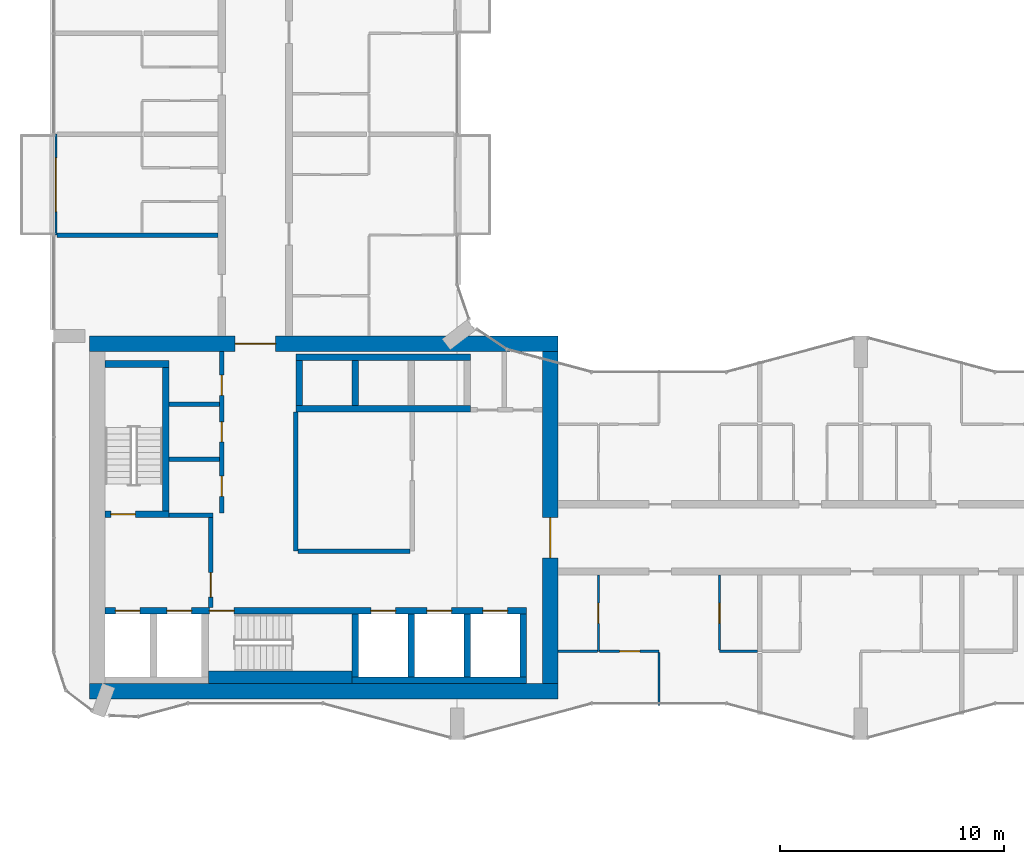
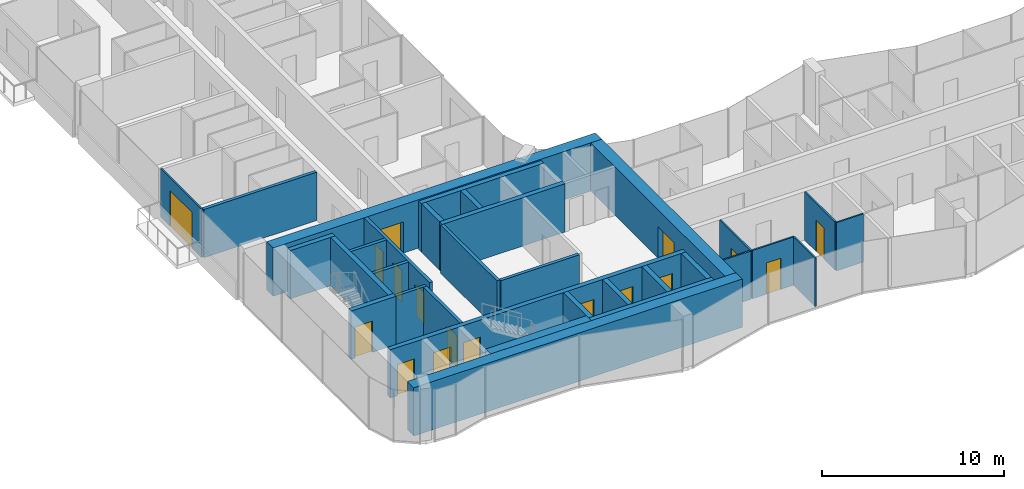
# One storey, part 13 of 23: 32 walls, 17 doors, 17 openings.
"""IFC4 building model written with IfcOpenShell, lengths in metres."""

import ifcopenshell
import ifcopenshell.guid

model = None  # the IFC model being written
_history = None  # IfcOwnerHistory: only IFC2X3 demands one
_inside = {}  # id of a spatial element -> (the spatial element, [elements in it])
_under = {}  # id of a project, library or spatial element -> (it, [spatial elements below it])
_declared = {}  # id of a project -> (the project, [libraries it declares])
_typed = {}  # id of a type object -> (the type object, [elements of that type])
_made_of = {}  # id of a material, layer set ... -> (it, [elements and type objects made of it])


def new_model(schema):
    """Start an empty IFC model of exactly this schema.

    Asked for "IFC4X3", IfcOpenShell would pick the latest addendum, in which some entities
    have other attributes; the version numbers below select the first issue.
    IFC2X3 requires an IfcOwnerHistory on every rooted entity: one is made here for all.
    """
    global model, _history
    if schema == "IFC4X3":
        model = ifcopenshell.file(schema_version=(4, 3, 0, 0))
    else:
        model = ifcopenshell.file(schema=schema)
    _inside.clear()
    _under.clear()
    _declared.clear()
    _typed.clear()
    _made_of.clear()
    _history = None
    if model.schema == "IFC2X3":
        org = make("IfcOrganization", Name="unknown")
        user = make(
            "IfcPersonAndOrganization",
            ThePerson=make("IfcPerson", FamilyName="unknown"),
            TheOrganization=org,
        )
        app = make(
            "IfcApplication",
            ApplicationDeveloper=org,
            Version="unknown",
            ApplicationFullName="unknown",
            ApplicationIdentifier="unknown",
        )
        _history = make(
            "IfcOwnerHistory",
            OwningUser=user,
            OwningApplication=app,
            ChangeAction="ADDED",
            CreationDate=0,
        )
    return model


def make(cls, **values):
    """One entity of the class cls with the attributes given. An attribute that is None is left unset."""
    return model.create_entity(
        cls, **{name: value for name, value in values.items() if value is not None}
    )


def rooted(cls, **values):
    """An entity with a GlobalId (a new one), such as an element, a storey or a relation."""
    return make(cls, GlobalId=ifcopenshell.guid.new(), OwnerHistory=_history, **values)


def si_unit(unit_type, name, prefix=None):
    """IfcSIUnit, for example si_unit("LENGTHUNIT", "METRE", prefix="MILLI")."""
    return make("IfcSIUnit", UnitType=unit_type, Prefix=prefix, Name=name)


def assignment(units):
    """IfcUnitAssignment: the units of a project."""
    return None if units is None else make("IfcUnitAssignment", Units=units)


def point(xyz):
    """IfcCartesianPoint."""
    return None if xyz is None else make("IfcCartesianPoint", Coordinates=xyz)


def direction(xyz):
    """IfcDirection."""
    return None if xyz is None else make("IfcDirection", DirectionRatios=xyz)


def frame(location, z_axis=None, x_axis=None):
    """IfcAxis2Placement3D, a coordinate frame: its origin and axes. An axis left out is left unset."""
    return make(
        "IfcAxis2Placement3D",
        Location=point(location),
        Axis=direction(z_axis),
        RefDirection=direction(x_axis),
    )


def frame_2d(location, x_axis=None):
    """IfcAxis2Placement2D, a coordinate frame in the plane: its origin and x axis."""
    return make(
        "IfcAxis2Placement2D", Location=point(location), RefDirection=direction(x_axis)
    )


def origin():
    """The frame at (0, 0, 0) with its axes left unset."""
    return frame((0.0, 0.0, 0.0))


def place(relative_to, where):
    """IfcLocalPlacement: puts the frame where relative to a parent placement (None: the world)."""
    return make(
        "IfcLocalPlacement", PlacementRelTo=relative_to, RelativePlacement=where
    )


def context(
    kind, dimensions, precision=None, world=None, true_north=None, identifier=None
):
    """IfcGeometricRepresentationContext, for example the 3D "Model" context."""
    return make(
        "IfcGeometricRepresentationContext",
        ContextIdentifier=identifier,
        ContextType=kind,
        CoordinateSpaceDimension=dimensions,
        Precision=precision,
        WorldCoordinateSystem=world,
        TrueNorth=true_north,
    )


def subcontext(parent, identifier, kind, view, scale=None):
    """IfcGeometricRepresentationSubContext, for example "Body" below "Model"."""
    return make(
        "IfcGeometricRepresentationSubContext",
        ContextIdentifier=identifier,
        ContextType=kind,
        ParentContext=parent,
        TargetScale=scale,
        TargetView=view,
    )


def project(units=None, contexts=None):
    """IfcProject with its units and contexts."""
    return rooted(
        "IfcProject",
        Name="project",
        RepresentationContexts=contexts,
        UnitsInContext=assignment(units),
    )


def spatial(cls, under=None, at=None, **own):
    """A site, building, storey or space (cls), placed at a placement, below another one or the project."""
    s = rooted(cls, ObjectPlacement=at, **own)
    if under is not None:
        _under.setdefault(under.id(), (under, []))[1].append(s)
    return s


def profile(cls, at=None, kind="AREA", **sizes):
    """A parametric profile (cls). Its sizes go by their IFC names, for example OverallWidth=200.0."""
    return make(cls, ProfileType=kind, Position=at, **sizes)


def rectangle(**sizes):
    """IfcRectangleProfileDef."""
    return profile("IfcRectangleProfileDef", **sizes)


def extrude(swept, where, along, depth):
    """IfcExtrudedAreaSolid: the profile swept, set in the frame where, extruded along a direction by depth."""
    return make(
        "IfcExtrudedAreaSolid",
        SweptArea=swept,
        Position=where,
        ExtrudedDirection=direction(along),
        Depth=depth,
    )


def shape(context_of_items, identifier, shape_type, items):
    """IfcShapeRepresentation: the items that make up one representation, for example the "Body"."""
    return make(
        "IfcShapeRepresentation",
        ContextOfItems=context_of_items,
        RepresentationIdentifier=identifier,
        RepresentationType=shape_type,
        Items=items,
    )


def material(Name=None, Category=None):
    """IfcMaterial."""
    return make("IfcMaterial", Name=Name, Category=Category)


def layer(
    of_material, thickness, ventilated=None, Name=None, Category=None, Priority=None
):
    """IfcMaterialLayer: one layer of a wall or slab, of a material (None: an air gap)."""
    return make(
        "IfcMaterialLayer",
        Material=of_material,
        LayerThickness=thickness,
        IsVentilated=ventilated,
        Name=Name,
        Category=Category,
        Priority=Priority,
    )


def layer_set(layers, Name=None):
    """IfcMaterialLayerSet."""
    return make("IfcMaterialLayerSet", MaterialLayers=layers, LayerSetName=Name)


def made_of(thing, what):
    """Note that an element or type object is made of a material, layer set ...; save() writes the relation."""
    if what is not None:
        _made_of.setdefault(what.id(), (what, []))[1].append(thing)
    return thing


def type_object(cls, material=None, **own):
    """A type object (cls), such as IfcWallType, which elements share."""
    return made_of(rooted(cls, **own), material)


def element(
    cls,
    number,
    at=None,
    inside=None,
    cuts=None,
    type_object=None,
    material=None,
    context=None,
    identifier="Body",
    shape_type=None,
    held_by="IfcProductDefinitionShape",
    body=None,
    shapes=None,
    **own,
):
    """One element of the class cls, such as IfcWall. Its Tag is "e" and its number.

    at: its placement. inside: the storey or other place that contains it. cuts: it is an
    opening in that element (IfcRelVoidsElement). A single representation is given by context,
    identifier, shape_type and body (its items); several are given by shapes. held_by: the class
    of the entity that holds the representations. save() writes the other relations.
    """
    e = rooted(cls, Tag="e%d" % number, ObjectPlacement=at, **own)
    if body is not None:
        shapes = [shape(context, identifier, shape_type, body)]
    if shapes is not None:
        e.Representation = make(held_by, Representations=shapes)
    if inside is not None:
        _inside.setdefault(inside.id(), (inside, []))[1].append(e)
    if cuts is not None:
        rooted(
            "IfcRelVoidsElement", RelatingBuildingElement=cuts, RelatedOpeningElement=e
        )
    if type_object is not None:
        _typed.setdefault(type_object.id(), (type_object, []))[1].append(e)
    return made_of(e, material)


def fill(opening, filler):
    """IfcRelFillsElement: the door or window that sits in an opening."""
    return rooted(
        "IfcRelFillsElement",
        RelatingOpeningElement=opening,
        RelatedBuildingElement=filler,
    )


def aggregate(whole, parts):
    """IfcRelAggregates: a whole, such as a stair, and the parts it consists of."""
    return rooted("IfcRelAggregates", RelatingObject=whole, RelatedObjects=parts)


def save(model, path):
    """Write the relations noted so far, then the file.

    IfcRelAggregates (storeys below a building ...), IfcRelContainedInSpatialStructure (elements
    in a storey), IfcRelDefinesByType, IfcRelAssociatesMaterial and IfcRelDeclares: one each for
    every whole, place, type object, material and project.
    """
    for whole, parts in _under.values():
        aggregate(whole, parts)
    for where, things in _inside.values():
        rooted(
            "IfcRelContainedInSpatialStructure",
            RelatedElements=things,
            RelatingStructure=where,
        )
    for kind, things in _typed.values():
        rooted("IfcRelDefinesByType", RelatedObjects=things, RelatingType=kind)
    for what, things in _made_of.values():
        rooted("IfcRelAssociatesMaterial", RelatedObjects=things, RelatingMaterial=what)
    for by, libraries in _declared.values():
        rooted("IfcRelDeclares", RelatingContext=by, RelatedDefinitions=libraries)
    model.write(path)


model = new_model("IFC4")

# Units and contexts
model_context = context("Model", 3, precision=1e-05, world=origin(), true_north=direction((0.0, 1.0)))
body_context = subcontext(model_context, "Body", "Model", "MODEL_VIEW")
ifc_project = project(units=[si_unit("LENGTHUNIT", "METRE"), si_unit("AREAUNIT", "SQUARE_METRE"), si_unit("VOLUMEUNIT", "CUBIC_METRE"), si_unit("PLANEANGLEUNIT", "RADIAN"), si_unit("MASSUNIT", "GRAM", prefix="KILO")], contexts=[model_context])

# Site, building, storey
site_placement = place(None, origin())
site = spatial("IfcSite", under=ifc_project, at=site_placement, CompositionType="ELEMENT")
building_placement = place(site_placement, origin())
building = spatial("IfcBuilding", under=site, at=building_placement, Name="Plateau Cross Towers", CompositionType="ELEMENT")
storey_placement = place(building_placement, frame((0.0, 0.0, 81.800048828125)))
storey = spatial("IfcBuildingStorey", under=building, at=storey_placement, Name="L20", CompositionType="ELEMENT", Elevation=81.800048828125)

# Wall, opening, door
ifc_material_1 = material(Name="Aluminium framed glazing", Category="aluminium")
ifc_layer_1 = layer(ifc_material_1, 0.10009765625)
ifc_layer_set_1 = layer_set([ifc_layer_1], Name="Aluminium framed glazing")
wall_type_1 = type_object("IfcWallType", Name="Balcony screen wall 100", PredefinedType="STANDARD", material=ifc_layer_set_1)
wall_1_placement = place(storey_placement, frame((0.10009765625, 22.5, 0.0), z_axis=(0.0, 0.0, 1.0), x_axis=(0.0, 1.0, 0.0)))
wall_1 = element("IfcWall", 1, at=wall_1_placement, inside=storey, type_object=wall_type_1, Name="Balcony screen wall A-BAL-L20-01", PredefinedType="STANDARD", context=body_context, shape_type="SweptSolid", body=[
    extrude(rectangle(XDim=4.5, YDim=0.10009765625, at=frame_2d((2.25, 0.0))), origin(), (0.0, 0.0, 1.0), 3.25),
])
opening_1_placement = place(wall_1_placement, frame((1.050048828125, 0.0, 0.0)))
opening_1 = element("IfcOpeningElement", 2, at=opening_1_placement, cuts=wall_1, Name="Opening D-B24", PredefinedType="OPENING", context=body_context, shape_type="SweptSolid", body=[
    extrude(rectangle(XDim=2.39990234375, YDim=2.39990234375, at=frame_2d((1.199951171875, 1.199951171875))), frame((0.0, 0.06005859375, 0.0), z_axis=(0.0, -1.0, 0.0), x_axis=(1.0, 0.0, 0.0)), (0.0, 0.0, 1.0), 0.1201171875),
])
ifc_material_2 = material(Name="Aluminium frame, double glazing", Category="aluminium")
door_type_1 = type_object("IfcDoorType", Name="Balcony sliding door 2400", OperationType="NOTDEFINED", PredefinedType="DOOR", material=ifc_material_2)
door_1_placement = place(opening_1_placement, origin())
door_1 = element("IfcDoor", 3, at=door_1_placement, inside=storey, type_object=door_type_1, Name="Balcony door A-BAL-L20-01", OperationType="SINGLE_SWING_LEFT", OverallHeight=2.39990234375, OverallWidth=2.39990234375, PredefinedType="DOOR", context=body_context, shape_type="SweptSolid", body=[
    extrude(rectangle(XDim=2.39990234375, YDim=2.39990234375, at=frame_2d((1.199951171875, 1.199951171875))), frame((0.0, 0.02490234375, 0.0), z_axis=(0.0, -1.0, 0.0), x_axis=(1.0, 0.0, 0.0)), (0.0, 0.0, 1.0), 0.050048828125),
])
fill(opening_1, door_1)

ifc_material_3 = material(Name="Concrete block, plastered both sides", Category="concrete")
ifc_layer_2 = layer(ifc_material_3, 0.199951171875)
ifc_layer_set_2 = layer_set([ifc_layer_2], Name="Concrete block, plastered both sides")
wall_type_2 = type_object("IfcWallType", Name="Core partition 200", PredefinedType="PARTITIONING", material=ifc_layer_set_2)
wall_2_placement = place(storey_placement, frame((7.0, 5.89990234375, 0.0), z_axis=(0.0, 0.0, 1.0), x_axis=(0.0, 1.0, 0.0)))
wall_2 = element("IfcWall", 4, at=wall_2_placement, inside=storey, type_object=wall_type_2, Name="Core partition", PredefinedType="PARTITIONING", context=body_context, shape_type="SweptSolid", body=[
    extrude(rectangle(XDim=4.0, YDim=0.199951171875, at=frame_2d((2.0, 0.0))), origin(), (0.0, 0.0, 1.0), 3.25),
])
opening_2_placement = place(wall_2_placement, frame((0.449951171875, 0.0, 0.0)))
opening_2 = element("IfcOpeningElement", 5, at=opening_2_placement, cuts=wall_2, Name="Opening FFD", PredefinedType="OPENING", context=body_context, shape_type="SweptSolid", body=[
    extrude(rectangle(XDim=1.10009765625, YDim=2.10009765625, at=frame_2d((0.550048828125, 1.050048828125))), frame((0.0, 0.10986328125, 0.0), z_axis=(0.0, -1.0, 0.0), x_axis=(1.0, 0.0, 0.0)), (0.0, 0.0, 1.0), 0.219970703125),
])
ifc_material_4 = material(Name="Steel, fire-resisting leaf", Category="steel")
door_type_2 = type_object("IfcDoorType", Name="Firefighting lobby door 1100", OperationType="NOTDEFINED", PredefinedType="DOOR", material=ifc_material_4)
door_2_placement = place(opening_2_placement, origin())
door_2 = element("IfcDoor", 6, at=door_2_placement, inside=storey, type_object=door_type_2, Name="Firefighting lobby door FFD", OperationType="SINGLE_SWING_LEFT", OverallHeight=2.10009765625, OverallWidth=1.10009765625, PredefinedType="DOOR", context=body_context, shape_type="SweptSolid", body=[
    extrude(rectangle(XDim=1.10009765625, YDim=2.10009765625, at=frame_2d((0.550048828125, 1.050048828125))), frame((0.0, 0.02490234375, 0.0), z_axis=(0.0, -1.0, 0.0), x_axis=(1.0, 0.0, 0.0)), (0.0, 0.0, 1.0), 0.050048828125),
])
fill(opening_2, door_2)

# Walls
wall_3_placement = place(storey_placement, frame((5.14990234375, 10.0, 0.0), z_axis=(0.0, 0.0, 1.0), x_axis=(1.0, 0.0, 0.0)))
element("IfcWall", 7, at=wall_3_placement, inside=storey, type_object=wall_type_2, Name="Core partition", PredefinedType="PARTITIONING", context=body_context, shape_type="SweptSolid", body=[
    extrude(rectangle(XDim=1.9501953125, YDim=0.199951171875, at=frame_2d((0.97509765625, 0.0))), origin(), (0.0, 0.0, 1.0), 3.25),
])
wall_4_placement = place(storey_placement, frame((10.800048828125, 8.39990234375, 0.0), z_axis=(0.0, 0.0, 1.0), x_axis=(0.0, 1.0, 0.0)))
element("IfcWall", 8, at=wall_4_placement, inside=storey, type_object=wall_type_2, Name="Core partition", PredefinedType="PARTITIONING", context=body_context, shape_type="SweptSolid", body=[
    extrude(rectangle(XDim=6.2001953125, YDim=0.199951171875, at=frame_2d((3.10009765625, 0.0))), origin(), (0.0, 0.0, 1.0), 3.25),
])
wall_5_placement = place(storey_placement, frame((10.89990234375, 8.39990234375, 0.0), z_axis=(0.0, 0.0, 1.0), x_axis=(1.0, 0.0, 0.0)))
element("IfcWall", 9, at=wall_5_placement, inside=storey, type_object=wall_type_2, Name="Core partition", PredefinedType="PARTITIONING", context=body_context, shape_type="SweptSolid", body=[
    extrude(rectangle(XDim=5.0, YDim=0.199951171875, at=frame_2d((2.5, 0.0))), origin(), (0.0, 0.0, 1.0), 3.25),
])

# Wall, openings, doors
wall_6_placement = place(storey_placement, frame((7.5, 10.10009765625, 0.0), z_axis=(0.0, 0.0, 1.0), x_axis=(0.0, 1.0, 0.0)))
wall_6 = element("IfcWall", 10, at=wall_6_placement, inside=storey, type_object=wall_type_2, Name="Core partition", PredefinedType="PARTITIONING", context=body_context, shape_type="SweptSolid", body=[
    extrude(rectangle(XDim=7.199951171875, YDim=0.199951171875, at=frame_2d((3.60009765625, 0.0))), origin(), (0.0, 0.0, 1.0), 3.25),
])
opening_3_placement = place(wall_6_placement, frame((0.75, 0.0, 0.0)))
opening_3 = element("IfcOpeningElement", 11, at=opening_3_placement, cuts=wall_6, Name="Opening RD1", PredefinedType="OPENING", context=body_context, shape_type="SweptSolid", body=[
    extrude(rectangle(XDim=0.89990234375, YDim=2.10009765625, at=frame_2d((0.449951171875, 1.050048828125))), frame((0.0, 0.10986328125, 0.0), z_axis=(0.0, -1.0, 0.0), x_axis=(1.0, 0.0, 0.0)), (0.0, 0.0, 1.0), 0.219970703125),
])
opening_4_placement = place(wall_6_placement, frame((3.175048828125, 0.0, 0.0)))
opening_4 = element("IfcOpeningElement", 12, at=opening_4_placement, cuts=wall_6, Name="Opening RD1", PredefinedType="OPENING", context=body_context, shape_type="SweptSolid", body=[
    extrude(rectangle(XDim=0.89990234375, YDim=2.10009765625, at=frame_2d((0.449951171875, 1.050048828125))), frame((0.0, 0.10986328125, 0.0), z_axis=(0.0, -1.0, 0.0), x_axis=(1.0, 0.0, 0.0)), (0.0, 0.0, 1.0), 0.219970703125),
])
opening_5_placement = place(wall_6_placement, frame((5.25, 0.0, 0.0)))
opening_5 = element("IfcOpeningElement", 13, at=opening_5_placement, cuts=wall_6, Name="Opening RD1", PredefinedType="OPENING", context=body_context, shape_type="SweptSolid", body=[
    extrude(rectangle(XDim=0.89990234375, YDim=2.10009765625, at=frame_2d((0.449951171875, 1.050048828125))), frame((0.0, 0.10986328125, 0.0), z_axis=(0.0, -1.0, 0.0), x_axis=(1.0, 0.0, 0.0)), (0.0, 0.0, 1.0), 0.219970703125),
])
ifc_material_5 = material(Name="Timber, fire-resisting leaf", Category="wood")
door_type_3 = type_object("IfcDoorType", Name="Core service door 900", OperationType="NOTDEFINED", PredefinedType="DOOR", material=ifc_material_5)
door_3_placement = place(opening_3_placement, origin())
door_3 = element("IfcDoor", 14, at=door_3_placement, inside=storey, type_object=door_type_3, Name="Core service door RD1", OperationType="SINGLE_SWING_RIGHT", OverallHeight=2.10009765625, OverallWidth=0.89990234375, PredefinedType="DOOR", context=body_context, shape_type="SweptSolid", body=[
    extrude(rectangle(XDim=0.89990234375, YDim=2.10009765625, at=frame_2d((0.449951171875, 1.050048828125))), frame((0.0, 0.02490234375, 0.0), z_axis=(0.0, -1.0, 0.0), x_axis=(1.0, 0.0, 0.0)), (0.0, 0.0, 1.0), 0.050048828125),
])
fill(opening_3, door_3)
door_4_placement = place(opening_4_placement, origin())
door_4 = element("IfcDoor", 15, at=door_4_placement, inside=storey, type_object=door_type_3, Name="Core service door RD1", OperationType="SINGLE_SWING_RIGHT", OverallHeight=2.10009765625, OverallWidth=0.89990234375, PredefinedType="DOOR", context=body_context, shape_type="SweptSolid", body=[
    extrude(rectangle(XDim=0.89990234375, YDim=2.10009765625, at=frame_2d((0.449951171875, 1.050048828125))), frame((0.0, 0.02490234375, 0.0), z_axis=(0.0, -1.0, 0.0), x_axis=(1.0, 0.0, 0.0)), (0.0, 0.0, 1.0), 0.050048828125),
])
fill(opening_4, door_4)
door_5_placement = place(opening_5_placement, origin())
door_5 = element("IfcDoor", 16, at=door_5_placement, inside=storey, type_object=door_type_3, Name="Core service door RD1", OperationType="SINGLE_SWING_RIGHT", OverallHeight=2.10009765625, OverallWidth=0.89990234375, PredefinedType="DOOR", context=body_context, shape_type="SweptSolid", body=[
    extrude(rectangle(XDim=0.89990234375, YDim=2.10009765625, at=frame_2d((0.449951171875, 1.050048828125))), frame((0.0, 0.02490234375, 0.0), z_axis=(0.0, -1.0, 0.0), x_axis=(1.0, 0.0, 0.0)), (0.0, 0.0, 1.0), 0.050048828125),
])
fill(opening_5, door_5)

# Walls
for number, where, z_axis, x_axis, name in (
    (17, (5.14990234375, 12.5, 0.0), (0.0, 0.0, 1.0), (1.0, 0.0, 0.0), "Core partition"),
    (18, (5.14990234375, 14.949951171875, 0.0), (0.0, 0.0, 1.0), (1.0, 0.0, 0.0), "Core partition"),
):
    element("IfcWall", number, at=place(storey_placement, frame(where, z_axis=z_axis, x_axis=x_axis)), inside=storey, type_object=wall_type_2, Name=name, PredefinedType="PARTITIONING", context=body_context, shape_type="SweptSolid", body=[
        extrude(rectangle(XDim=2.25, YDim=0.199951171875, at=frame_2d((1.125, 0.0))), origin(), (0.0, 0.0, 1.0), 3.25),
    ])
ifc_material_6 = material(Name="Concrete C60/75", Category="concrete")
ifc_layer_3 = layer(ifc_material_6, 0.300048828125)
ifc_layer_set_3 = layer_set([ifc_layer_3], Name="Concrete C60/75")
wall_type_3 = type_object("IfcWallType", Name="Core shaft wall 300", PredefinedType="SHEAR", material=ifc_layer_set_3)
wall_7_placement = place(storey_placement, frame((13.300048828125, 2.64990234375, 0.0), z_axis=(0.0, 0.0, 1.0), x_axis=(1.0, 0.0, 0.0)))
element("IfcWall", 19, at=wall_7_placement, inside=storey, type_object=wall_type_3, Name="A-sb-back3@L20", PredefinedType="SHEAR", context=body_context, shape_type="SweptSolid", body=[
    extrude(rectangle(XDim=7.800048828125, YDim=0.300048828125, at=frame_2d((3.89990234375, 0.0))), origin(), (0.0, 0.0, 1.0), 3.25),
])
for number, where, z_axis, x_axis, name in (
    (20, (13.449951171875, 2.800048828125, 0.0), (0.0, 0.0, 1.0), (0.0, 1.0, 0.0), "A-sb-v3@L20"),
    (21, (15.949951171875, 2.800048828125, 0.0), (0.0, 0.0, 1.0), (0.0, 1.0, 0.0), "A-sb-v4@L20"),
    (22, (18.449951171875, 2.800048828125, 0.0), (0.0, 0.0, 1.0), (0.0, 1.0, 0.0), "A-sb-v5@L20"),
    (23, (20.949951171875, 2.800048828125, 0.0), (0.0, 0.0, 1.0), (0.0, 1.0, 0.0), "A-sb-v6@L20"),
):
    element("IfcWall", number, at=place(storey_placement, frame(where, z_axis=z_axis, x_axis=x_axis)), inside=storey, type_object=wall_type_3, Name=name, PredefinedType="SHEAR", context=body_context, shape_type="SweptSolid", body=[
        extrude(rectangle(XDim=2.800048828125, YDim=0.300048828125, at=frame_2d((1.39990234375, 0.0))), origin(), (0.0, 0.0, 1.0), 3.25),
    ])

# Wall, openings, doors
wall_8_placement = place(storey_placement, frame((2.300048828125, 5.75, 0.0), z_axis=(0.0, 0.0, 1.0), x_axis=(1.0, 0.0, 0.0)))
wall_8 = element("IfcWall", 24, at=wall_8_placement, inside=storey, type_object=wall_type_3, Name="A-sb-front@L20", PredefinedType="SHEAR", context=body_context, shape_type="SweptSolid", body=[
    extrude(rectangle(XDim=18.800048828125, YDim=0.300048828125, at=frame_2d((9.39990234375, 0.0))), origin(), (0.0, 0.0, 1.0), 3.25),
])
opening_6_placement = place(wall_8_placement, frame((4.64990234375, 0.0, 0.0)))
opening_6 = element("IfcOpeningElement", 25, at=opening_6_placement, cuts=wall_8, Name="Opening SD", PredefinedType="OPENING", context=body_context, shape_type="SweptSolid", body=[
    extrude(rectangle(XDim=1.10009765625, YDim=2.10009765625, at=frame_2d((0.550048828125, 1.050048828125))), frame((0.0, 0.159912109375, 0.0), z_axis=(0.0, -1.0, 0.0), x_axis=(1.0, 0.0, 0.0)), (0.0, 0.0, 1.0), 0.320068359375),
])
opening_7_placement = place(wall_8_placement, frame((0.449951171875, 0.0, 0.0)))
opening_7 = element("IfcOpeningElement", 26, at=opening_7_placement, cuts=wall_8, Name="Opening LD", PredefinedType="OPENING", context=body_context, shape_type="SweptSolid", body=[
    extrude(rectangle(XDim=1.10009765625, YDim=2.10009765625, at=frame_2d((0.550048828125, 1.050048828125))), frame((0.0, 0.159912109375, 0.0), z_axis=(0.0, -1.0, 0.0), x_axis=(1.0, 0.0, 0.0)), (0.0, 0.0, 1.0), 0.320068359375),
])
opening_8_placement = place(wall_8_placement, frame((2.75, 0.0, 0.0)))
opening_8 = element("IfcOpeningElement", 27, at=opening_8_placement, cuts=wall_8, Name="Opening LD", PredefinedType="OPENING", context=body_context, shape_type="SweptSolid", body=[
    extrude(rectangle(XDim=1.10009765625, YDim=2.10009765625, at=frame_2d((0.550048828125, 1.050048828125))), frame((0.0, 0.159912109375, 0.0), z_axis=(0.0, -1.0, 0.0), x_axis=(1.0, 0.0, 0.0)), (0.0, 0.0, 1.0), 0.320068359375),
])
opening_9_placement = place(wall_8_placement, frame((11.85009765625, 0.0, 0.0)))
opening_9 = element("IfcOpeningElement", 28, at=opening_9_placement, cuts=wall_8, Name="Opening LD", PredefinedType="OPENING", context=body_context, shape_type="SweptSolid", body=[
    extrude(rectangle(XDim=1.10009765625, YDim=2.10009765625, at=frame_2d((0.550048828125, 1.050048828125))), frame((0.0, 0.159912109375, 0.0), z_axis=(0.0, -1.0, 0.0), x_axis=(1.0, 0.0, 0.0)), (0.0, 0.0, 1.0), 0.320068359375),
])
opening_10_placement = place(wall_8_placement, frame((14.35009765625, 0.0, 0.0)))
opening_10 = element("IfcOpeningElement", 29, at=opening_10_placement, cuts=wall_8, Name="Opening LD", PredefinedType="OPENING", context=body_context, shape_type="SweptSolid", body=[
    extrude(rectangle(XDim=1.10009765625, YDim=2.10009765625, at=frame_2d((0.550048828125, 1.050048828125))), frame((0.0, 0.159912109375, 0.0), z_axis=(0.0, -1.0, 0.0), x_axis=(1.0, 0.0, 0.0)), (0.0, 0.0, 1.0), 0.320068359375),
])
opening_11_placement = place(wall_8_placement, frame((16.85009765625, 0.0, 0.0)))
opening_11 = element("IfcOpeningElement", 30, at=opening_11_placement, cuts=wall_8, Name="Opening LD", PredefinedType="OPENING", context=body_context, shape_type="SweptSolid", body=[
    extrude(rectangle(XDim=1.10009765625, YDim=2.10009765625, at=frame_2d((0.550048828125, 1.050048828125))), frame((0.0, 0.159912109375, 0.0), z_axis=(0.0, -1.0, 0.0), x_axis=(1.0, 0.0, 0.0)), (0.0, 0.0, 1.0), 0.320068359375),
])
ifc_material_7 = material(Name="Stainless steel, fire-resisting sliding leaves", Category="steel")
door_type_4 = type_object("IfcDoorType", Name="Lift landing door 1100", OperationType="NOTDEFINED", PredefinedType="DOOR", material=ifc_material_7)
door_6_placement = place(opening_7_placement, origin())
door_6 = element("IfcDoor", 31, at=door_6_placement, inside=storey, type_object=door_type_4, Name="Lift landing door LD", OperationType="DOUBLE_DOOR_SLIDING", OverallHeight=2.10009765625, OverallWidth=1.10009765625, PredefinedType="DOOR", context=body_context, shape_type="SweptSolid", body=[
    extrude(rectangle(XDim=1.10009765625, YDim=2.10009765625, at=frame_2d((0.550048828125, 1.050048828125))), frame((0.0, 0.02490234375, 0.0), z_axis=(0.0, -1.0, 0.0), x_axis=(1.0, 0.0, 0.0)), (0.0, 0.0, 1.0), 0.050048828125),
])
fill(opening_7, door_6)
door_7_placement = place(opening_8_placement, origin())
door_7 = element("IfcDoor", 32, at=door_7_placement, inside=storey, type_object=door_type_4, Name="Lift landing door LD", OperationType="DOUBLE_DOOR_SLIDING", OverallHeight=2.10009765625, OverallWidth=1.10009765625, PredefinedType="DOOR", context=body_context, shape_type="SweptSolid", body=[
    extrude(rectangle(XDim=1.10009765625, YDim=2.10009765625, at=frame_2d((0.550048828125, 1.050048828125))), frame((0.0, 0.02490234375, 0.0), z_axis=(0.0, -1.0, 0.0), x_axis=(1.0, 0.0, 0.0)), (0.0, 0.0, 1.0), 0.050048828125),
])
fill(opening_8, door_7)
door_8_placement = place(opening_9_placement, origin())
door_8 = element("IfcDoor", 33, at=door_8_placement, inside=storey, type_object=door_type_4, Name="Lift landing door LD", OperationType="DOUBLE_DOOR_SLIDING", OverallHeight=2.10009765625, OverallWidth=1.10009765625, PredefinedType="DOOR", context=body_context, shape_type="SweptSolid", body=[
    extrude(rectangle(XDim=1.10009765625, YDim=2.10009765625, at=frame_2d((0.550048828125, 1.050048828125))), frame((0.0, 0.02490234375, 0.0), z_axis=(0.0, -1.0, 0.0), x_axis=(1.0, 0.0, 0.0)), (0.0, 0.0, 1.0), 0.050048828125),
])
fill(opening_9, door_8)
door_9_placement = place(opening_10_placement, origin())
door_9 = element("IfcDoor", 34, at=door_9_placement, inside=storey, type_object=door_type_4, Name="Lift landing door LD", OperationType="DOUBLE_DOOR_SLIDING", OverallHeight=2.10009765625, OverallWidth=1.10009765625, PredefinedType="DOOR", context=body_context, shape_type="SweptSolid", body=[
    extrude(rectangle(XDim=1.10009765625, YDim=2.10009765625, at=frame_2d((0.550048828125, 1.050048828125))), frame((0.0, 0.02490234375, 0.0), z_axis=(0.0, -1.0, 0.0), x_axis=(1.0, 0.0, 0.0)), (0.0, 0.0, 1.0), 0.050048828125),
])
fill(opening_10, door_9)
door_10_placement = place(opening_11_placement, origin())
door_10 = element("IfcDoor", 35, at=door_10_placement, inside=storey, type_object=door_type_4, Name="Lift landing door LD", OperationType="DOUBLE_DOOR_SLIDING", OverallHeight=2.10009765625, OverallWidth=1.10009765625, PredefinedType="DOOR", context=body_context, shape_type="SweptSolid", body=[
    extrude(rectangle(XDim=1.10009765625, YDim=2.10009765625, at=frame_2d((0.550048828125, 1.050048828125))), frame((0.0, 0.02490234375, 0.0), z_axis=(0.0, -1.0, 0.0), x_axis=(1.0, 0.0, 0.0)), (0.0, 0.0, 1.0), 0.050048828125),
])
fill(opening_11, door_10)
door_type_5 = type_object("IfcDoorType", Name="Stair door 1100", OperationType="NOTDEFINED", PredefinedType="DOOR", material=ifc_material_4)
door_11_placement = place(opening_6_placement, origin())
door_11 = element("IfcDoor", 36, at=door_11_placement, inside=storey, type_object=door_type_5, Name="Stair door SD", OperationType="SINGLE_SWING_LEFT", OverallHeight=2.10009765625, OverallWidth=1.10009765625, PredefinedType="DOOR", context=body_context, shape_type="SweptSolid", body=[
    extrude(rectangle(XDim=1.10009765625, YDim=2.10009765625, at=frame_2d((0.550048828125, 1.050048828125))), frame((0.0, 0.02490234375, 0.0), z_axis=(0.0, -1.0, 0.0), x_axis=(1.0, 0.0, 0.0)), (0.0, 0.0, 1.0), 0.050048828125),
])
fill(opening_6, door_11)

# Wall, opening, door
wall_9_placement = place(storey_placement, frame((2.300048828125, 10.050048828125, 0.0), z_axis=(0.0, 0.0, 1.0), x_axis=(1.0, 0.0, 0.0)))
wall_9 = element("IfcWall", 37, at=wall_9_placement, inside=storey, type_object=wall_type_3, Name="A-st1-S@L20", PredefinedType="SHEAR", context=body_context, shape_type="SweptSolid", body=[
    extrude(rectangle(XDim=2.849853515625, YDim=0.300048828125, at=frame_2d((1.4248046875, 0.0))), origin(), (0.0, 0.0, 1.0), 3.25),
])
opening_12_placement = place(wall_9_placement, frame((0.25, 0.0, 0.0)))
opening_12 = element("IfcOpeningElement", 38, at=opening_12_placement, cuts=wall_9, Name="Opening SD", PredefinedType="OPENING", context=body_context, shape_type="SweptSolid", body=[
    extrude(rectangle(XDim=1.10009765625, YDim=2.10009765625, at=frame_2d((0.550048828125, 1.050048828125))), frame((0.0, 0.159912109375, 0.0), z_axis=(0.0, -1.0, 0.0), x_axis=(1.0, 0.0, 0.0)), (0.0, 0.0, 1.0), 0.320068359375),
])
door_12_placement = place(opening_12_placement, origin())
door_12 = element("IfcDoor", 39, at=door_12_placement, inside=storey, type_object=door_type_5, Name="Stair door SD", OperationType="SINGLE_SWING_RIGHT", OverallHeight=2.10009765625, OverallWidth=1.10009765625, PredefinedType="DOOR", context=body_context, shape_type="SweptSolid", body=[
    extrude(rectangle(XDim=1.10009765625, YDim=2.10009765625, at=frame_2d((0.550048828125, 1.050048828125))), frame((0.0, 0.02490234375, 0.0), z_axis=(0.0, -1.0, 0.0), x_axis=(1.0, 0.0, 0.0)), (0.0, 0.0, 1.0), 0.050048828125),
])
fill(opening_12, door_12)

# Walls
wall_10_placement = place(storey_placement, frame((5.0, 10.199951171875, 0.0), z_axis=(0.0, 0.0, 1.0), x_axis=(0.0, 1.0, 0.0)))
element("IfcWall", 40, at=wall_10_placement, inside=storey, type_object=wall_type_3, Name="A-st1-E@L20", PredefinedType="SHEAR", context=body_context, shape_type="SweptSolid", body=[
    extrude(rectangle(XDim=6.400146484375, YDim=0.300048828125, at=frame_2d((3.2001953125, 0.0))), origin(), (0.0, 0.0, 1.0), 3.25),
])
wall_11_placement = place(storey_placement, frame((2.300048828125, 16.75, 0.0), z_axis=(0.0, 0.0, 1.0), x_axis=(1.0, 0.0, 0.0)))
element("IfcWall", 41, at=wall_11_placement, inside=storey, type_object=wall_type_3, Name="A-st1-N@L20", PredefinedType="SHEAR", context=body_context, shape_type="SweptSolid", body=[
    extrude(rectangle(XDim=2.849853515625, YDim=0.300048828125, at=frame_2d((1.4248046875, 0.0))), origin(), (0.0, 0.0, 1.0), 3.25),
])
for number, where, z_axis, x_axis, name in (
    (42, (10.800048828125, 17.050048828125, 0.0), (0.0, 0.0, 1.0), (1.0, 0.0, 0.0), "A-nb-back@L20"),
    (43, (10.800048828125, 14.75, 0.0), (0.0, 0.0, 1.0), (1.0, 0.0, 0.0), "A-nb-front@L20"),
):
    element("IfcWall", number, at=place(storey_placement, frame(where, z_axis=z_axis, x_axis=x_axis)), inside=storey, type_object=wall_type_3, Name=name, PredefinedType="SHEAR", context=body_context, shape_type="SweptSolid", body=[
        extrude(rectangle(XDim=7.800048828125, YDim=0.300048828125, at=frame_2d((3.89990234375, 0.0))), origin(), (0.0, 0.0, 1.0), 3.25),
    ])
for number, where, z_axis, x_axis, name in (
    (44, (10.949951171875, 14.89990234375, 0.0), (0.0, 0.0, 1.0), (0.0, 1.0, 0.0), "A-nb-v1@L20"),
    (45, (13.449951171875, 14.89990234375, 0.0), (0.0, 0.0, 1.0), (0.0, 1.0, 0.0), "A-nb-v2@L20"),
):
    element("IfcWall", number, at=place(storey_placement, frame(where, z_axis=z_axis, x_axis=x_axis)), inside=storey, type_object=wall_type_3, Name=name, PredefinedType="SHEAR", context=body_context, shape_type="SweptSolid", body=[
        extrude(rectangle(XDim=2.0, YDim=0.300048828125, at=frame_2d((1.0, 0.0))), origin(), (0.0, 0.0, 1.0), 3.25),
    ])
ifc_layer_4 = layer(ifc_material_6, 0.550048828125)
ifc_layer_set_4 = layer_set([ifc_layer_4], Name="Concrete C60/75")
wall_type_4 = type_object("IfcWallType", Name="Core shaft wall 550", PredefinedType="SHEAR", material=ifc_layer_set_4)
wall_12_placement = place(storey_placement, frame((6.89990234375, 2.77490234375, 0.0), z_axis=(0.0, 0.0, 1.0), x_axis=(1.0, 0.0, 0.0)))
element("IfcWall", 46, at=wall_12_placement, inside=storey, type_object=wall_type_4, Name="A-sb-back2@L20", PredefinedType="SHEAR", context=body_context, shape_type="SweptSolid", body=[
    extrude(rectangle(XDim=6.400146484375, YDim=0.550048828125, at=frame_2d((3.2001953125, 0.0))), origin(), (0.0, 0.0, 1.0), 3.25),
])
ifc_layer_5 = layer(ifc_material_6, 0.699951171875)
ifc_layer_set_5 = layer_set([ifc_layer_5], Name="Concrete C60/75")
wall_type_5 = type_object("IfcWallType", Name="Core shell wall 700", PredefinedType="SHEAR", material=ifc_layer_set_5)
wall_13_placement = place(storey_placement, frame((1.60009765625, 2.14990234375, 0.0), z_axis=(0.0, 0.0, 1.0), x_axis=(1.0, 0.0, 0.0)))
element("IfcWall", 47, at=wall_13_placement, inside=storey, type_object=wall_type_5, Name="A-core-S@L20", PredefinedType="SHEAR", context=body_context, shape_type="SweptSolid", body=[
    extrude(rectangle(XDim=20.89990234375, YDim=0.699951171875, at=frame_2d((10.449951171875, 0.0))), origin(), (0.0, 0.0, 1.0), 3.25),
])

# Wall, opening, door
wall_14_placement = place(storey_placement, frame((1.60009765625, 17.64990234375, 0.0), z_axis=(0.0, 0.0, 1.0), x_axis=(1.0, 0.0, 0.0)))
wall_14 = element("IfcWall", 48, at=wall_14_placement, inside=storey, type_object=wall_type_5, Name="A-core-N@L20", PredefinedType="SHEAR", context=body_context, shape_type="SweptSolid", body=[
    extrude(rectangle(XDim=20.89990234375, YDim=0.699951171875, at=frame_2d((10.449951171875, 0.0))), origin(), (0.0, 0.0, 1.0), 3.25),
])
opening_13_placement = place(wall_14_placement, frame((6.5, 0.0, 0.0)))
opening_13 = element("IfcOpeningElement", 49, at=opening_13_placement, cuts=wall_14, Name="Opening CD", PredefinedType="OPENING", context=body_context, shape_type="SweptSolid", body=[
    extrude(rectangle(XDim=1.800048828125, YDim=2.10009765625, at=frame_2d((0.89990234375, 1.050048828125))), frame((0.0, 0.35986328125, 0.0), z_axis=(0.0, -1.0, 0.0), x_axis=(1.0, 0.0, 0.0)), (0.0, 0.0, 1.0), 0.719970703125),
])
ifc_material_8 = material(Name="Steel, fire-resisting leaves", Category="steel")
door_type_6 = type_object("IfcDoorType", Name="Corridor door pair 1800", OperationType="NOTDEFINED", PredefinedType="DOOR", material=ifc_material_8)
door_13_placement = place(opening_13_placement, origin())
door_13 = element("IfcDoor", 50, at=door_13_placement, inside=storey, type_object=door_type_6, Name="Corridor door pair CD", OperationType="DOUBLE_DOOR_SINGLE_SWING", OverallHeight=2.10009765625, OverallWidth=1.800048828125, PredefinedType="DOOR", context=body_context, shape_type="SweptSolid", body=[
    extrude(rectangle(XDim=1.800048828125, YDim=2.10009765625, at=frame_2d((0.89990234375, 1.050048828125))), frame((0.0, 0.02490234375, 0.0), z_axis=(0.0, -1.0, 0.0), x_axis=(1.0, 0.0, 0.0)), (0.0, 0.0, 1.0), 0.050048828125),
])
fill(opening_13, door_13)

wall_15_placement = place(storey_placement, frame((22.14990234375, 2.5, 0.0), z_axis=(0.0, 0.0, 1.0), x_axis=(0.0, 1.0, 0.0)))
wall_15 = element("IfcWall", 51, at=wall_15_placement, inside=storey, type_object=wall_type_5, Name="A-core-E@L20", PredefinedType="SHEAR", context=body_context, shape_type="SweptSolid", body=[
    extrude(rectangle(XDim=14.800048828125, YDim=0.699951171875, at=frame_2d((7.39990234375, 0.0))), origin(), (0.0, 0.0, 1.0), 3.25),
])
opening_14_placement = place(wall_15_placement, frame((5.60009765625, 0.0, 0.0)))
opening_14 = element("IfcOpeningElement", 52, at=opening_14_placement, cuts=wall_15, Name="Opening CD", PredefinedType="OPENING", context=body_context, shape_type="SweptSolid", body=[
    extrude(rectangle(XDim=1.800048828125, YDim=2.10009765625, at=frame_2d((0.89990234375, 1.050048828125))), frame((0.0, 0.35986328125, 0.0), z_axis=(0.0, -1.0, 0.0), x_axis=(1.0, 0.0, 0.0)), (0.0, 0.0, 1.0), 0.719970703125),
])
door_14_placement = place(opening_14_placement, origin())
door_14 = element("IfcDoor", 53, at=door_14_placement, inside=storey, type_object=door_type_6, Name="Corridor door pair CD", OperationType="DOUBLE_DOOR_SINGLE_SWING", OverallHeight=2.10009765625, OverallWidth=1.800048828125, PredefinedType="DOOR", context=body_context, shape_type="SweptSolid", body=[
    extrude(rectangle(XDim=1.800048828125, YDim=2.10009765625, at=frame_2d((0.89990234375, 1.050048828125))), frame((0.0, 0.02490234375, 0.0), z_axis=(0.0, -1.0, 0.0), x_axis=(1.0, 0.0, 0.0)), (0.0, 0.0, 1.0), 0.050048828125),
])
fill(opening_14, door_14)

ifc_material_9 = material(Name="Gypsum board on steel studs", Category="steel")
ifc_layer_6 = layer(ifc_material_9, 0.10009765625)
ifc_layer_set_6 = layer_set([ifc_layer_6], Name="Gypsum board on steel studs")
wall_type_6 = type_object("IfcWallType", Name="Flat partition 100", PredefinedType="PARTITIONING", material=ifc_layer_set_6)
wall_16_placement = place(storey_placement, frame((27.0, 3.9375, 0.0), z_axis=(0.0, 0.0, 1.0), x_axis=(-1.0, 0.0, 0.0)))
wall_16 = element("IfcWall", 54, at=wall_16_placement, inside=storey, type_object=wall_type_6, Name="Partition wall", PredefinedType="PARTITIONING", context=body_context, shape_type="SweptSolid", body=[
    extrude(rectangle(XDim=2.64990234375, YDim=0.10009765625, at=frame_2d((1.324951171875, 0.0))), origin(), (0.0, 0.0, 1.0), 3.25),
])
opening_15_placement = place(wall_16_placement, frame((0.85009765625, 0.0, 0.0)))
opening_15 = element("IfcOpeningElement", 55, at=opening_15_placement, cuts=wall_16, Name="Opening 20-20", PredefinedType="OPENING", context=body_context, shape_type="SweptSolid", body=[
    extrude(rectangle(XDim=0.89990234375, YDim=2.10009765625, at=frame_2d((0.449951171875, 1.050048828125))), frame((0.0, 0.06005859375, 0.0), z_axis=(0.0, -1.0, 0.0), x_axis=(1.0, 0.0, 0.0)), (0.0, 0.0, 1.0), 0.1201171875),
])
ifc_material_10 = material(Name="Timber leaf", Category="wood")
door_type_7 = type_object("IfcDoorType", Name="Flat room door 900", OperationType="NOTDEFINED", PredefinedType="DOOR", material=ifc_material_10)
door_15_placement = place(opening_15_placement, origin())
door_15 = element("IfcDoor", 56, at=door_15_placement, inside=storey, type_object=door_type_7, Name="Door 20-20", OperationType="SINGLE_SWING_LEFT", OverallHeight=2.10009765625, OverallWidth=0.89990234375, PredefinedType="DOOR", context=body_context, shape_type="SweptSolid", body=[
    extrude(rectangle(XDim=0.89990234375, YDim=2.10009765625, at=frame_2d((0.449951171875, 1.050048828125))), frame((0.0, 0.02490234375, 0.0), z_axis=(0.0, -1.0, 0.0), x_axis=(1.0, 0.0, 0.0)), (0.0, 0.0, 1.0), 0.050048828125),
])
fill(opening_15, door_15)

# Walls
wall_17_placement = place(storey_placement, frame((22.5, 3.9375, 0.0), z_axis=(0.0, 0.0, 1.0), x_axis=(1.0, 0.0, 0.0)))
element("IfcWall", 57, at=wall_17_placement, inside=storey, type_object=wall_type_6, Name="Partition wall", PredefinedType="PARTITIONING", context=body_context, shape_type="SweptSolid", body=[
    extrude(rectangle(XDim=1.75, YDim=0.10009765625, at=frame_2d((0.875, 0.0))), origin(), (0.0, 0.0, 1.0), 3.25),
])
wall_18_placement = place(storey_placement, frame((29.699951171875, 3.9375, 0.0), z_axis=(0.0, 0.0, 1.0), x_axis=(1.0, 0.0, 0.0)))
element("IfcWall", 58, at=wall_18_placement, inside=storey, type_object=wall_type_6, Name="Partition wall", PredefinedType="PARTITIONING", context=body_context, shape_type="SweptSolid", body=[
    extrude(rectangle(XDim=1.699951171875, YDim=0.10009765625, at=frame_2d((0.85009765625, 0.0))), origin(), (0.0, 0.0, 1.0), 3.25),
])

# Wall, opening, door
wall_19_placement = place(storey_placement, frame((24.300048828125, 3.9375, 0.0), z_axis=(0.0, 0.0, 1.0), x_axis=(0.0, 1.0, 0.0)))
wall_19 = element("IfcWall", 59, at=wall_19_placement, inside=storey, type_object=wall_type_6, Name="Partition wall", PredefinedType="PARTITIONING", context=body_context, shape_type="SweptSolid", body=[
    extrude(rectangle(XDim=3.39990234375, YDim=0.10009765625, at=frame_2d((1.699951171875, 0.0))), origin(), (0.0, 0.0, 1.0), 3.25),
])
opening_16_placement = place(wall_19_placement, frame((1.25, 0.0, 0.0)))
opening_16 = element("IfcOpeningElement", 60, at=opening_16_placement, cuts=wall_19, Name="Opening 20-18", PredefinedType="OPENING", context=body_context, shape_type="SweptSolid", body=[
    extrude(rectangle(XDim=0.89990234375, YDim=2.10009765625, at=frame_2d((0.449951171875, 1.050048828125))), frame((0.0, 0.06005859375, 0.0), z_axis=(0.0, -1.0, 0.0), x_axis=(1.0, 0.0, 0.0)), (0.0, 0.0, 1.0), 0.1201171875),
])
door_16_placement = place(opening_16_placement, origin())
door_16 = element("IfcDoor", 61, at=door_16_placement, inside=storey, type_object=door_type_7, Name="Door 20-18", OperationType="SINGLE_SWING_LEFT", OverallHeight=2.10009765625, OverallWidth=0.89990234375, PredefinedType="DOOR", context=body_context, shape_type="SweptSolid", body=[
    extrude(rectangle(XDim=0.89990234375, YDim=2.10009765625, at=frame_2d((0.449951171875, 1.050048828125))), frame((0.0, 0.02490234375, 0.0), z_axis=(0.0, -1.0, 0.0), x_axis=(1.0, 0.0, 0.0)), (0.0, 0.0, 1.0), 0.050048828125),
])
fill(opening_16, door_16)

# Wall
wall_20_placement = place(storey_placement, frame((27.0, 1.52685546875, 0.0), z_axis=(0.0, 0.0, 1.0), x_axis=(0.0, 1.0, 0.0)))
element("IfcWall", 62, at=wall_20_placement, inside=storey, type_object=wall_type_6, Name="Partition wall", PredefinedType="PARTITIONING", context=body_context, shape_type="SweptSolid", body=[
    extrude(rectangle(XDim=2.360595703125, YDim=0.10009765625, at=frame_2d((1.18017578125, 0.0))), origin(), (0.0, 0.0, 1.0), 3.25),
])

# Wall, opening, door
wall_21_placement = place(storey_placement, frame((29.699951171875, 7.33740234375, 0.0), z_axis=(0.0, 0.0, 1.0), x_axis=(0.0, -1.0, 0.0)))
wall_21 = element("IfcWall", 63, at=wall_21_placement, inside=storey, type_object=wall_type_6, Name="Partition wall", PredefinedType="PARTITIONING", context=body_context, shape_type="SweptSolid", body=[
    extrude(rectangle(XDim=3.349853515625, YDim=0.10009765625, at=frame_2d((1.6748046875, 0.0))), origin(), (0.0, 0.0, 1.0), 3.25),
])
opening_17_placement = place(wall_21_placement, frame((1.25, 0.0, 0.0)))
opening_17 = element("IfcOpeningElement", 64, at=opening_17_placement, cuts=wall_21, Name="Opening 20-19", PredefinedType="OPENING", context=body_context, shape_type="SweptSolid", body=[
    extrude(rectangle(XDim=0.89990234375, YDim=2.10009765625, at=frame_2d((0.449951171875, 1.050048828125))), frame((0.0, 0.06005859375, 0.0), z_axis=(0.0, -1.0, 0.0), x_axis=(1.0, 0.0, 0.0)), (0.0, 0.0, 1.0), 0.1201171875),
])
door_17_placement = place(opening_17_placement, origin())
door_17 = element("IfcDoor", 65, at=door_17_placement, inside=storey, type_object=door_type_7, Name="Door 20-19", OperationType="SINGLE_SWING_RIGHT", OverallHeight=2.10009765625, OverallWidth=0.89990234375, PredefinedType="DOOR", context=body_context, shape_type="SweptSolid", body=[
    extrude(rectangle(XDim=0.89990234375, YDim=2.10009765625, at=frame_2d((0.449951171875, 1.050048828125))), frame((0.0, 0.02490234375, 0.0), z_axis=(0.0, -1.0, 0.0), x_axis=(1.0, 0.0, 0.0)), (0.0, 0.0, 1.0), 0.050048828125),
])
fill(opening_17, door_17)

# Wall
ifc_material_11 = material(Name="Gypsum board on steel studs, two layers each side", Category="steel")
ifc_layer_7 = layer(ifc_material_11, 0.199951171875)
ifc_layer_set_7 = layer_set([ifc_layer_7], Name="Gypsum board on steel studs, two layers each side")
wall_type_7 = type_object("IfcWallType", Name="Flat party wall 200", PredefinedType="PARTITIONING", material=ifc_layer_set_7)
wall_22_placement = place(storey_placement, frame((7.33740234375, 22.5, 0.0), z_axis=(0.0, 0.0, 1.0), x_axis=(-1.0, 0.0, 0.0)))
element("IfcWall", 66, at=wall_22_placement, inside=storey, type_object=wall_type_7, Name="Party wall", PredefinedType="PARTITIONING", context=body_context, shape_type="SweptSolid", body=[
    extrude(rectangle(XDim=7.1875, YDim=0.199951171875, at=frame_2d((3.59375, 0.0))), origin(), (0.0, 0.0, 1.0), 3.25),
])

save(model, "model.ifc")
